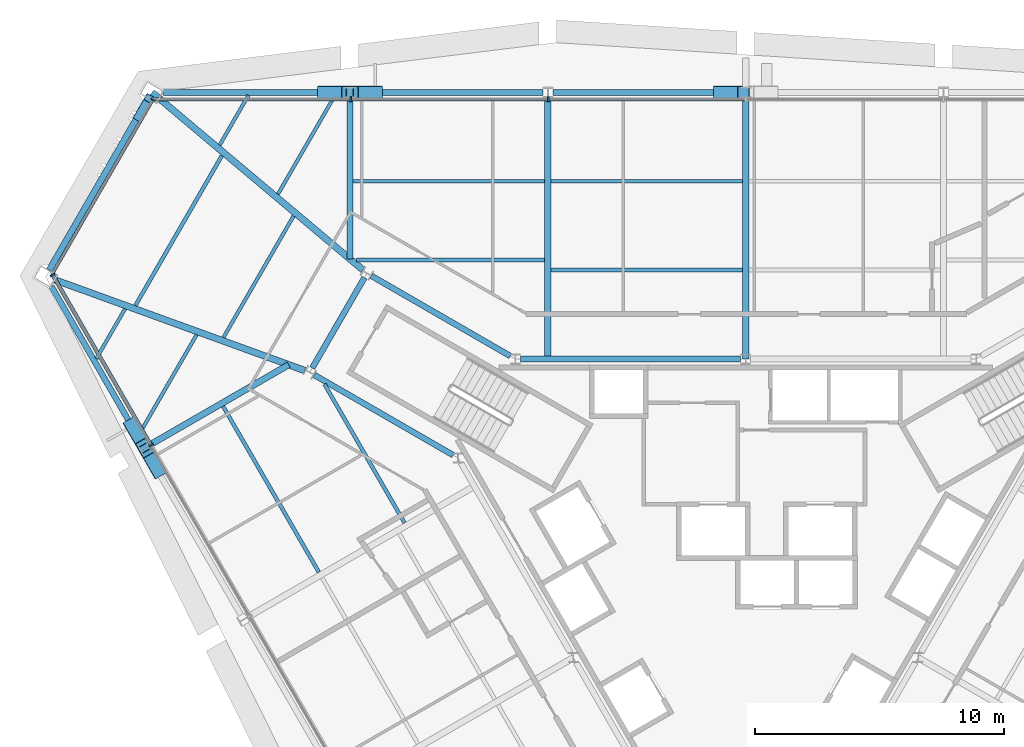
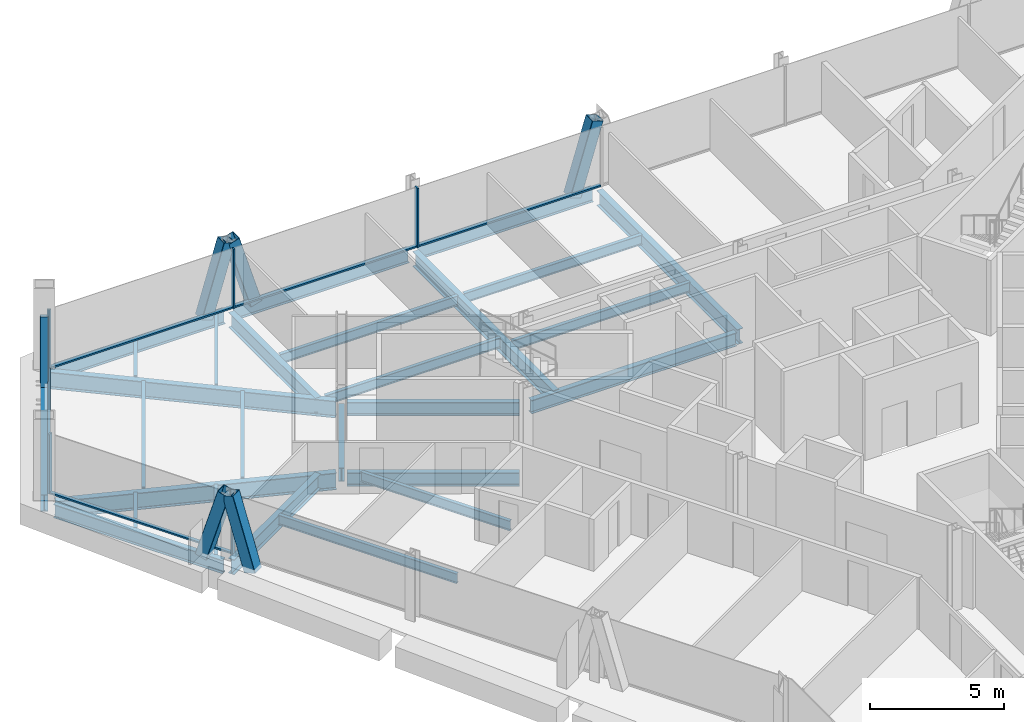
# One storey, part 6 of 14: 27 beams, 16 members, 3 elements without a shape of their own.
"""IFC4 building model written with IfcOpenShell, lengths in metres."""

from ifc_helpers import new_model, si_unit, direction, frame, origin, origin_2d, place, context, subcontext, project, spatial, rectangle, hollow_rectangle, i_section, extrude, material, material_profile, profile_set, type_object, element, aggregate, save


model = new_model("IFC4")

# Units and contexts
model_context = context("Model", 3, precision=1e-05, world=origin(), true_north=direction((0.0, 1.0)))
body_context = subcontext(model_context, "Body", "Model", "MODEL_VIEW")
ifc_project = project(units=[si_unit("LENGTHUNIT", "METRE"), si_unit("AREAUNIT", "SQUARE_METRE"), si_unit("VOLUMEUNIT", "CUBIC_METRE"), si_unit("PLANEANGLEUNIT", "RADIAN"), si_unit("MASSUNIT", "GRAM", prefix="KILO")], contexts=[model_context])

# Site, building, storey
site_placement = place(None, origin())
site = spatial("IfcSite", under=ifc_project, at=site_placement, CompositionType="ELEMENT")
building_placement = place(site_placement, origin())
building = spatial("IfcBuilding", under=site, at=building_placement, Name="Verrane Prism Tower", CompositionType="ELEMENT")
storey_placement = place(building_placement, frame((0.0, 0.0, 196.89990234375)))
storey = spatial("IfcBuildingStorey", under=building, at=storey_placement, Name="L49", CompositionType="ELEMENT", Elevation=196.89990234375)

# Member
ifc_material_1 = material(Name="Steel A500 Grade C", Category="steel")
ifc_material_profile_1 = material_profile(ifc_material_1, hollow_rectangle(XDim=0.3046875, YDim=0.3046875, WallThickness=0.0126953125, InnerFilletRadius=0.00634765625, OuterFilletRadius=0.01904296875, at=origin_2d()), Name="HSS12x12x1/2")
ifc_profile_set_1 = profile_set([ifc_material_profile_1], Name="Steel A500 Grade C")
member_type_1 = type_object("IfcMemberType", Name="Chamfer brace HSS12x12x1/2", PredefinedType="BRACE", material=ifc_profile_set_1)
member_1_placement = place(storey_placement, frame((-24.422607421875, 17.73486328125, -0.242431640625), z_axis=(0.152332325262, 0.263973138981, 0.952424823583), x_axis=(-0.866128586522, 0.499821239653, 0.0)))
element("IfcMember", 1, at=member_1_placement, inside=storey, type_object=member_type_1, Name="Chamfer brace NW0 L49", PredefinedType="BRACE", context=body_context, shape_type="SweptSolid", body=[
    extrude(hollow_rectangle(XDim=0.3046875, YDim=0.3046875, WallThickness=0.0126953125, InnerFilletRadius=0.00634765625, OuterFilletRadius=0.01904296875, at=origin_2d()), origin(), (0.0, 0.0, 1.0), 2.807861328125),
])

# Beams
ifc_material_2 = material(Name="Steel A992", Category="steel")
ifc_material_profile_2 = material_profile(ifc_material_2, i_section(OverallWidth=0.2666015625, OverallDepth=0.7568359375, WebThickness=0.013916015625, FlangeThickness=0.019287109375, FilletRadius=0.0166015625, at=origin_2d()), Name="W30x108")
ifc_profile_set_2 = profile_set([ifc_material_profile_2], Name="Steel A992")
beam_type_1 = type_object("IfcBeamType", Name="Chamfer spandrel beam W30x108", PredefinedType="SPANDREL", material=ifc_profile_set_2)
beam_1_placement = place(storey_placement, frame((-24.010009765625, 18.4501953125, -0.538330078125), z_axis=(-0.499772118917, -0.86615693102, 0.0), x_axis=(0.86615693102, -0.499772118917, 0.0)))
element("IfcBeam", 2, at=beam_1_placement, inside=storey, type_object=beam_type_1, Name="Chamfer spandrel beam L49", PredefinedType="SPANDREL", context=body_context, shape_type="SweptSolid", body=[
    extrude(i_section(OverallWidth=0.2666015625, OverallDepth=0.7568359375, WebThickness=0.013916015625, FlangeThickness=0.019287109375, FilletRadius=0.0166015625, at=origin_2d()), origin(), (0.0, 0.0, 1.0), 7.943603515625),
])
ifc_material_3 = material(Name="Steel A992", Category="steel")
ifc_material_profile_3 = material_profile(ifc_material_3, i_section(OverallWidth=0.23046875, OverallDepth=0.6171875, WebThickness=0.01318359375, FlangeThickness=0.022216796875, FilletRadius=0.012939453125, at=origin_2d()), Name="W24x94")
ifc_profile_set_3 = profile_set([ifc_material_profile_3], Name="Steel A992")
beam_type_2 = type_object("IfcBeamType", Name="Core ring girder W24x94", PredefinedType="BEAM", material=ifc_profile_set_3)
beam_2_placement = place(storey_placement, frame((-0.20068359375, 8.0, -0.55859375), z_axis=(-1.0, 0.0, 0.0), x_axis=(0.0, -1.0, 0.0)))
element("IfcBeam", 3, at=beam_2_placement, inside=storey, type_object=beam_type_2, Name="Core ring girder L49", PredefinedType="BEAM", context=body_context, shape_type="SweptSolid", body=[
    extrude(i_section(OverallWidth=0.23046875, OverallDepth=0.6171875, WebThickness=0.01318359375, FlangeThickness=0.022216796875, FilletRadius=0.012939453125, at=origin_2d()), origin(), (0.0, 0.0, 1.0), 8.858642578125),
])
beam_3_placement = place(storey_placement, frame((-9.460693359375, 8.11572265625, -0.55859375), z_axis=(-0.866075143088, 0.499913839102, 0.0), x_axis=(-0.499913839102, -0.866075143088, 0.0)))
element("IfcBeam", 4, at=beam_3_placement, inside=storey, type_object=beam_type_2, Name="Core ring girder L49", PredefinedType="BEAM", context=body_context, shape_type="SweptSolid", body=[
    extrude(i_section(OverallWidth=0.23046875, OverallDepth=0.6171875, WebThickness=0.01318359375, FlangeThickness=0.022216796875, FilletRadius=0.012939453125, at=origin_2d()), origin(), (0.0, 0.0, 1.0), 6.441650390625),
])
beam_4_placement = place(storey_placement, frame((-15.32177734375, 11.26416015625, -0.55859375), z_axis=(-0.500305747711, -0.865848808284, 0.0), x_axis=(0.865848808284, -0.500305747711, 0.0)))
element("IfcBeam", 5, at=beam_4_placement, inside=storey, type_object=beam_type_2, Name="Core ring girder L49", PredefinedType="BEAM", context=body_context, shape_type="SweptSolid", body=[
    extrude(i_section(OverallWidth=0.23046875, OverallDepth=0.6171875, WebThickness=0.01318359375, FlangeThickness=0.022216796875, FilletRadius=0.012939453125, at=origin_2d()), origin(), (0.0, 0.0, 1.0), 4.1904296875),
])
beam_5_placement = place(storey_placement, frame((-17.339599609375, 7.35595703125, -0.55859375), z_axis=(0.866075143088, -0.499913839102, 0.0), x_axis=(0.499913839102, 0.866075143088, 0.0)))
element("IfcBeam", 6, at=beam_5_placement, inside=storey, type_object=beam_type_2, Name="Core ring girder L49", PredefinedType="BEAM", context=body_context, shape_type="SweptSolid", body=[
    extrude(i_section(OverallWidth=0.23046875, OverallDepth=0.6171875, WebThickness=0.01318359375, FlangeThickness=0.022216796875, FilletRadius=0.012939453125, at=origin_2d()), origin(), (0.0, 0.0, 1.0), 6.441650390625),
])
ifc_material_4 = material(Name="Steel A992", Category="steel")
ifc_material_profile_4 = material_profile(ifc_material_4, i_section(OverallWidth=0.2666015625, OverallDepth=0.76708984375, WebThickness=0.014892578125, FlangeThickness=0.023681640625, FilletRadius=0.0166015625, at=origin_2d()), Name="W30x124")
ifc_profile_set_4 = profile_set([ifc_material_profile_4], Name="Steel A992")
beam_type_3 = type_object("IfcBeamType", Name="Corner girder W30x124", PredefinedType="BEAM", material=ifc_profile_set_4)
beam_6_placement = place(storey_placement, frame((-23.85791015625, 18.7080078125, -0.603515625), z_axis=(0.765174039001, -0.643823492923, 0.0), x_axis=(0.643823492923, 0.765174039001, 0.0)))
element("IfcBeam", 7, at=beam_6_placement, inside=storey, type_object=beam_type_3, Name="Corner girder L49", PredefinedType="BEAM", context=body_context, shape_type="SweptSolid", body=[
    extrude(i_section(OverallWidth=0.2666015625, OverallDepth=0.76708984375, WebThickness=0.014892578125, FlangeThickness=0.023681640625, FilletRadius=0.0166015625, at=origin_2d()), origin(), (0.0, 0.0, 1.0), 11.077392578125),
])
beam_7_placement = place(storey_placement, frame((-27.747314453125, 11.171142578125, -0.603515625), z_axis=(0.940029060961, -0.341094363114, 0.0), x_axis=(0.341094363114, 0.940029060961, 0.0)))
element("IfcBeam", 8, at=beam_7_placement, inside=storey, type_object=beam_type_3, Name="Corner girder L49", PredefinedType="BEAM", context=body_context, shape_type="SweptSolid", body=[
    extrude(i_section(OverallWidth=0.2666015625, OverallDepth=0.76708984375, WebThickness=0.014892578125, FlangeThickness=0.023681640625, FilletRadius=0.0166015625, at=origin_2d()), origin(), (0.0, 0.0, 1.0), 10.66845703125),
])

# Members
ifc_material_5 = material(Name="Steel A500 Grade C", Category="steel")
ifc_material_profile_5 = material_profile(ifc_material_5, hollow_rectangle(XDim=0.508056640625, YDim=0.508056640625, WallThickness=0.01904296875, InnerFilletRadius=0.009521484375, OuterFilletRadius=0.028564453125, at=origin_2d()), Name="HSS20x20x3/4")
ifc_profile_set_5 = profile_set([ifc_material_profile_5], Name="Steel A500 Grade C")
member_type_2 = type_object("IfcMemberType", Name="Facade brace HSS20x20x3/4", PredefinedType="BRACE", material=ifc_profile_set_5)
member_2_placement = place(storey_placement, frame((-1.059326171875, 18.7099609375, -0.216552734375), z_axis=(0.290270288565, 0.0, 0.956944700375), x_axis=(0.0, 1.0, 0.0)))
element("IfcMember", 9, at=member_2_placement, inside=storey, type_object=member_type_2, Name="Facade brace N3 L49", PredefinedType="BRACE", context=body_context, shape_type="SweptSolid", body=[
    extrude(hollow_rectangle(XDim=0.508056640625, YDim=0.508056640625, WallThickness=0.01904296875, InnerFilletRadius=0.009521484375, OuterFilletRadius=0.028564453125, at=origin_2d()), origin(), (0.0, 0.0, 1.0), 3.32470703125),
])
member_3_placement = place(storey_placement, frame((-14.841064453125, 18.7099609375, -0.216552734375), z_axis=(-0.291345631639, 0.0, 0.956617856265), x_axis=(0.0, -1.0, 0.0)))
element("IfcMember", 10, at=member_3_placement, inside=storey, type_object=member_type_2, Name="Facade brace N4 L49", PredefinedType="BRACE", context=body_context, shape_type="SweptSolid", body=[
    extrude(hollow_rectangle(XDim=0.508056640625, YDim=0.508056640625, WallThickness=0.01904296875, InnerFilletRadius=0.009521484375, OuterFilletRadius=0.028564453125, at=origin_2d()), origin(), (0.0, 0.0, 1.0), 3.325927734375),
])
member_4_placement = place(storey_placement, frame((-16.9609375, 18.7099609375, -0.216552734375), z_axis=(0.289597640006, 0.0, 0.957148476937), x_axis=(0.0, 1.0, 0.0)))
element("IfcMember", 11, at=member_4_placement, inside=storey, type_object=member_type_2, Name="Facade brace N5 L49", PredefinedType="BRACE", context=body_context, shape_type="SweptSolid", body=[
    extrude(hollow_rectangle(XDim=0.508056640625, YDim=0.508056640625, WallThickness=0.01904296875, InnerFilletRadius=0.009521484375, OuterFilletRadius=0.028564453125, at=origin_2d()), origin(), (0.0, 0.0, 1.0), 3.323974609375),
])
member_5_placement = place(storey_placement, frame((-24.68896484375, 5.337890625, -0.216552734375), z_axis=(0.146159393367, -0.25179644362, 0.956679665672), x_axis=(0.864856046638, 0.502019938442, 0.0)))
element("IfcMember", 12, at=member_5_placement, inside=storey, type_object=member_type_2, Name="Facade brace SW0 L49", PredefinedType="BRACE", context=body_context, shape_type="SweptSolid", body=[
    extrude(hollow_rectangle(XDim=0.508056640625, YDim=0.508056640625, WallThickness=0.01904296875, InnerFilletRadius=0.009521484375, OuterFilletRadius=0.028564453125, at=origin_2d()), origin(), (0.0, 0.0, 1.0), 3.32568359375),
])
member_6_placement = place(storey_placement, frame((-23.629638671875, 3.501708984375, -0.216552734375), z_axis=(-0.14416822817, 0.251321282117, 0.957106647736), x_axis=(-0.867415195595, -0.49758504645, 0.0)))
element("IfcMember", 13, at=member_6_placement, inside=storey, type_object=member_type_2, Name="Facade brace SW1 L49", PredefinedType="BRACE", context=body_context, shape_type="SweptSolid", body=[
    extrude(hollow_rectangle(XDim=0.508056640625, YDim=0.508056640625, WallThickness=0.01904296875, InnerFilletRadius=0.009521484375, OuterFilletRadius=0.028564453125, at=origin_2d()), origin(), (0.0, 0.0, 1.0), 3.32421875),
])

# Beams
ifc_material_6 = material(Name="Steel A992", Category="steel")
ifc_material_profile_6 = material_profile(ifc_material_6, i_section(OverallWidth=0.140380859375, OverallDepth=0.40380859375, WebThickness=0.007080078125, FlangeThickness=0.01123046875, FilletRadius=0.01025390625, at=origin_2d()), Name="W16x31")
ifc_profile_set_6 = profile_set([ifc_material_profile_6], Name="Steel A992")
beam_type_4 = type_object("IfcBeamType", Name="Floor beam W16x31", PredefinedType="BEAM", material=ifc_profile_set_6)
beam_8_placement = place(storey_placement, frame((-18.79638671875, 14.622314453125, -0.36181640625), z_axis=(0.500014226777, 0.866017189795, 0.0), x_axis=(-0.866017189795, 0.500014226777, 0.0)))
element("IfcBeam", 14, at=beam_8_placement, inside=storey, type_object=beam_type_4, Name="Floor beam L49", PredefinedType="BEAM", context=body_context, shape_type="SweptSolid", body=[
    extrude(i_section(OverallWidth=0.140380859375, OverallDepth=0.40380859375, WebThickness=0.007080078125, FlangeThickness=0.01123046875, FilletRadius=0.01025390625, at=origin_2d()), origin(), (0.0, 0.0, 1.0), 4.587158203125),
])
beam_9_placement = place(storey_placement, frame((-21.138916015625, 16.593994140625, -0.36181640625), z_axis=(0.50000294753, 0.86602370202, 0.0), x_axis=(-0.86602370202, 0.50000294753, 0.0)))
element("IfcBeam", 15, at=beam_9_placement, inside=storey, type_object=beam_type_4, Name="Floor beam L49", PredefinedType="BEAM", context=body_context, shape_type="SweptSolid", body=[
    extrude(i_section(OverallWidth=0.140380859375, OverallDepth=0.40380859375, WebThickness=0.007080078125, FlangeThickness=0.01123046875, FilletRadius=0.01025390625, at=origin_2d()), origin(), (0.0, 0.0, 1.0), 2.310546875),
])
beam_10_placement = place(storey_placement, frame((-24.3603515625, 4.997802734375, -0.36181640625), z_axis=(0.500008050843, 0.866020755578, 0.0), x_axis=(-0.866020755578, 0.500008050843, 0.0)))
element("IfcBeam", 16, at=beam_10_placement, inside=storey, type_object=beam_type_4, Name="Floor beam L49", PredefinedType="BEAM", context=body_context, shape_type="SweptSolid", body=[
    extrude(i_section(OverallWidth=0.140380859375, OverallDepth=0.40380859375, WebThickness=0.007080078125, FlangeThickness=0.01123046875, FilletRadius=0.01025390625, at=origin_2d()), origin(), (0.0, 0.0, 1.0), 4.587890625),
])
beam_11_placement = place(storey_placement, frame((-26.0966796875, 8.01123046875, -0.36181640625), z_axis=(0.49999068997, 0.866030778866, 0.0), x_axis=(-0.866030778866, 0.49999068997, 0.0)))
element("IfcBeam", 17, at=beam_11_placement, inside=storey, type_object=beam_type_4, Name="Floor beam L49", PredefinedType="BEAM", context=body_context, shape_type="SweptSolid", body=[
    extrude(i_section(OverallWidth=0.140380859375, OverallDepth=0.40380859375, WebThickness=0.007080078125, FlangeThickness=0.01123046875, FilletRadius=0.01025390625, at=origin_2d()), origin(), (0.0, 0.0, 1.0), 2.31103515625),
])
beam_12_placement = place(storey_placement, frame((-20.986572265625, 8.86376953125, -0.36181640625), z_axis=(0.500001171754, 0.866024727271, 0.0), x_axis=(-0.866024727271, 0.500001171754, 0.0)))
element("IfcBeam", 18, at=beam_12_placement, inside=storey, type_object=beam_type_4, Name="Floor beam L49", PredefinedType="BEAM", context=body_context, shape_type="SweptSolid", body=[
    extrude(i_section(OverallWidth=0.140380859375, OverallDepth=0.40380859375, WebThickness=0.007080078125, FlangeThickness=0.01123046875, FilletRadius=0.01025390625, at=origin_2d()), origin(), (0.0, 0.0, 1.0), 5.63623046875),
])
ifc_material_7 = material(Name="Steel A992", Category="steel")
ifc_material_profile_7 = material_profile(ifc_material_7, i_section(OverallWidth=0.15234375, OverallDepth=0.449462890625, WebThickness=0.007568359375, FlangeThickness=0.0107421875, FilletRadius=0.01025390625, at=origin_2d()), Name="W18x35")
ifc_profile_set_7 = profile_set([ifc_material_profile_7], Name="Steel A992")
beam_type_5 = type_object("IfcBeamType", Name="Floor beam W18x35", PredefinedType="BEAM", material=ifc_profile_set_7)
for number, where, z_axis, x_axis, name in (
    (19, (-7.822998046875, 11.570068359375, -0.384765625), (1.0, 0.0, 0.0), (0.0, 1.0, 0.0), "Floor beam L49"),
    (20, (-7.822998046875, 15.139892578125, -0.384765625), (1.0, 0.0, 0.0), (0.0, 1.0, 0.0), "Floor beam L49"),
):
    element("IfcBeam", number, at=place(storey_placement, frame(where, z_axis=z_axis, x_axis=x_axis)), inside=storey, type_object=beam_type_5, Name=name, PredefinedType="BEAM", context=body_context, shape_type="SweptSolid", body=[
        extrude(i_section(OverallWidth=0.15234375, OverallDepth=0.449462890625, WebThickness=0.007568359375, FlangeThickness=0.0107421875, FilletRadius=0.01025390625, at=origin_2d()), origin(), (0.0, 0.0, 1.0), 7.696044921875),
    ])
beam_13_placement = place(storey_placement, frame((-15.64501953125, 11.969970703125, -0.384765625), z_axis=(1.0, 0.0, 0.0), x_axis=(0.0, 1.0, 0.0)))
element("IfcBeam", 21, at=beam_13_placement, inside=storey, type_object=beam_type_5, Name="Floor beam L49", PredefinedType="BEAM", context=body_context, shape_type="SweptSolid", body=[
    extrude(i_section(OverallWidth=0.15234375, OverallDepth=0.449462890625, WebThickness=0.007568359375, FlangeThickness=0.0107421875, FilletRadius=0.01025390625, at=origin_2d()), origin(), (0.0, 0.0, 1.0), 7.568115234375),
])
beam_14_placement = place(storey_placement, frame((-15.77294921875, 15.139892578125, -0.384765625), z_axis=(1.0, 0.0, 0.0), x_axis=(0.0, 1.0, 0.0)))
element("IfcBeam", 22, at=beam_14_placement, inside=storey, type_object=beam_type_5, Name="Floor beam L49", PredefinedType="BEAM", context=body_context, shape_type="SweptSolid", body=[
    extrude(i_section(OverallWidth=0.15234375, OverallDepth=0.449462890625, WebThickness=0.007568359375, FlangeThickness=0.0107421875, FilletRadius=0.01025390625, at=origin_2d()), origin(), (0.0, 0.0, 1.0), 7.696044921875),
])
beam_15_placement = place(storey_placement, frame((-13.7109375, 1.4130859375, -0.384765625), z_axis=(-0.499999433879, 0.866025730634, 0.0), x_axis=(-0.866025730634, -0.499999433879, 0.0)))
element("IfcBeam", 23, at=beam_15_placement, inside=storey, type_object=beam_type_5, Name="Floor beam L49", PredefinedType="BEAM", context=body_context, shape_type="SweptSolid", body=[
    extrude(i_section(OverallWidth=0.15234375, OverallDepth=0.449462890625, WebThickness=0.007568359375, FlangeThickness=0.0107421875, FilletRadius=0.01025390625, at=origin_2d()), origin(), (0.0, 0.0, 1.0), 6.4345703125),
])
beam_16_placement = place(storey_placement, frame((-17.151123046875, -0.573974609375, -0.384765625), z_axis=(-0.50001143954, 0.866018799062, 0.0), x_axis=(-0.866018799062, -0.50001143954, 0.0)))
element("IfcBeam", 24, at=beam_16_placement, inside=storey, type_object=beam_type_5, Name="Floor beam L49", PredefinedType="BEAM", context=body_context, shape_type="SweptSolid", body=[
    extrude(i_section(OverallWidth=0.15234375, OverallDepth=0.449462890625, WebThickness=0.007568359375, FlangeThickness=0.0107421875, FilletRadius=0.01025390625, at=origin_2d()), origin(), (0.0, 0.0, 1.0), 7.702880859375),
])
beam_17_placement = place(storey_placement, frame((-24.525390625, 10.14599609375, -0.384765625), z_axis=(0.500009115389, 0.866020140948, 0.0), x_axis=(-0.866020140948, 0.500009115389, 0.0)))
element("IfcBeam", 25, at=beam_17_placement, inside=storey, type_object=beam_type_5, Name="Floor beam L49", PredefinedType="BEAM", context=body_context, shape_type="SweptSolid", body=[
    extrude(i_section(OverallWidth=0.15234375, OverallDepth=0.449462890625, WebThickness=0.007568359375, FlangeThickness=0.0107421875, FilletRadius=0.01025390625, at=origin_2d()), origin(), (0.0, 0.0, 1.0), 6.954345703125),
])

# Curtain wall, member
ifc_material_8 = material(Name="Aluminium framed insulated glazing", Category="aluminium")
curtain_wall_type_1 = type_object("IfcCurtainWallType", Name="Curtain wall CW-B 5600 module", PredefinedType="NOTDEFINED", material=ifc_material_8)
curtain_wall_1_placement = place(storey_placement, origin())
curtain_wall_1 = element("IfcCurtainWall", 26, at=curtain_wall_1_placement, inside=storey, type_object=curtain_wall_type_1, Name="Glazed curtain wall north-west corner L49", PredefinedType="NOTDEFINED")
ifc_material_9 = material(Name="Aluminium alloy 6063-T6", Category="aluminium")
ifc_material_profile_8 = material_profile(ifc_material_9, rectangle(XDim=0.159912109375, YDim=0.06005859375, at=origin_2d()), Name="Mullion 60x160 aluminium")
ifc_profile_set_8 = profile_set([ifc_material_profile_8], Name="Aluminium alloy 6063-T6")
member_type_3 = type_object("IfcMemberType", Name="Mullion 60x160 aluminium", PredefinedType="MULLION", material=ifc_profile_set_8)
member_7_placement = place(storey_placement, frame((-23.827880859375, 18.405029296875, 0.0), z_axis=(0.0, 0.0, 1.0), x_axis=(0.866022763997, -0.500004572218, 0.0)))
member_7 = element("IfcMember", 27, at=member_7_placement, type_object=member_type_3, Name="CW47.3 mullion 1", PredefinedType="MULLION", context=body_context, shape_type="SweptSolid", body=[
    extrude(rectangle(XDim=0.159912109375, YDim=0.06005859375, at=origin_2d()), origin(), (0.0, 0.0, 1.0), 2.712890625),
])

# Curtain wall, members
ifc_material_10 = material(Name="Aluminium framed insulated glazing", Category="aluminium")
curtain_wall_type_2 = type_object("IfcCurtainWallType", Name="Curtain wall CW-A 8400 module", PredefinedType="NOTDEFINED", material=ifc_material_10)
curtain_wall_2_placement = place(storey_placement, origin())
curtain_wall_2 = element("IfcCurtainWall", 28, at=curtain_wall_2_placement, inside=storey, type_object=curtain_wall_type_2, Name="Glazed curtain wall north face L49", PredefinedType="NOTDEFINED")
ifc_material_11 = material(Name="Aluminium alloy 6063-T6", Category="aluminium")
ifc_material_profile_9 = material_profile(ifc_material_11, rectangle(XDim=0.199951171875, YDim=0.070068359375, at=origin_2d()), Name="Mullion 70x200 aluminium")
ifc_profile_set_9 = profile_set([ifc_material_profile_9], Name="Aluminium alloy 6063-T6")
member_type_4 = type_object("IfcMemberType", Name="Mullion 70x200 aluminium", PredefinedType="MULLION", material=ifc_profile_set_9)
member_8_placement = place(storey_placement, frame((-7.937744140625, 18.430908203125, 0.0), z_axis=(0.0, 0.0, 1.0), x_axis=(0.0, -1.0, 0.0)))
member_8 = element("IfcMember", 29, at=member_8_placement, type_object=member_type_4, Name="CW47.2 mullion 5", PredefinedType="MULLION", context=body_context, shape_type="SweptSolid", body=[
    extrude(rectangle(XDim=0.199951171875, YDim=0.070068359375, at=origin_2d()), origin(), (0.0, 0.0, 1.0), 2.712890625),
])
member_9_placement = place(storey_placement, frame((-15.875244140625, 18.430908203125, 0.0), z_axis=(0.0, 0.0, 1.0), x_axis=(0.0, -1.0, 0.0)))
member_9 = element("IfcMember", 30, at=member_9_placement, type_object=member_type_4, Name="CW47.2 mullion 6", PredefinedType="MULLION", context=body_context, shape_type="SweptSolid", body=[
    extrude(rectangle(XDim=0.199951171875, YDim=0.070068359375, at=origin_2d()), origin(), (0.0, 0.0, 1.0), 2.712890625),
])

curtain_wall_3_placement = place(storey_placement, origin())
curtain_wall_3 = element("IfcCurtainWall", 31, at=curtain_wall_3_placement, inside=storey, type_object=curtain_wall_type_2, Name="Glazed curtain wall south-west face L49", PredefinedType="NOTDEFINED")
member_10_placement = place(storey_placement, frame((-27.8505859375, 11.376708984375, 0.0), z_axis=(0.0, 0.0, 1.0), x_axis=(0.866025652206, 0.499999569721, 0.0)))
member_10 = element("IfcMember", 32, at=member_10_placement, type_object=member_type_4, Name="CW47.4 mullion 1", PredefinedType="MULLION", context=body_context, shape_type="SweptSolid", body=[
    extrude(rectangle(XDim=0.199951171875, YDim=0.070068359375, at=origin_2d()), origin(), (0.0, 0.0, 1.0), 2.712890625),
])
member_11_placement = place(storey_placement, frame((-23.8994140625, 4.532958984375, 0.0), z_axis=(0.0, 0.0, 1.0), x_axis=(0.866025652206, 0.499999569721, 0.0)))
member_11 = element("IfcMember", 33, at=member_11_placement, type_object=member_type_4, Name="CW47.4 mullion 2", PredefinedType="MULLION", context=body_context, shape_type="SweptSolid", body=[
    extrude(rectangle(XDim=0.199951171875, YDim=0.070068359375, at=origin_2d()), origin(), (0.0, 0.0, 1.0), 2.712890625),
])

# Beams
ifc_material_12 = material(Name="Steel A992", Category="steel")
ifc_material_profile_10 = material_profile(ifc_material_12, i_section(OverallWidth=0.25390625, OverallDepth=0.683349609375, WebThickness=0.012451171875, FlangeThickness=0.01904296875, FilletRadius=0.01513671875, at=origin_2d()), Name="W27x94")
ifc_profile_set_10 = profile_set([ifc_material_profile_10], Name="Steel A992")
beam_type_6 = type_object("IfcBeamType", Name="Radial girder W27x94", PredefinedType="BEAM", material=ifc_profile_set_10)
for number, where, z_axis, x_axis, name in (
    (34, (0.0, 18.501708984375, -0.5615234375), (0.0, -1.0, 0.0), (1.0, 0.0, 0.0), "Radial girder L49"),
    (35, (-7.949951171875, 18.501708984375, -0.5615234375), (0.0, -1.0, 0.0), (1.0, 0.0, 0.0), "Radial girder L49"),
):
    element("IfcBeam", number, at=place(storey_placement, frame(where, z_axis=z_axis, x_axis=x_axis)), inside=storey, type_object=beam_type_6, Name=name, PredefinedType="BEAM", context=body_context, shape_type="SweptSolid", body=[
        extrude(i_section(OverallWidth=0.25390625, OverallDepth=0.683349609375, WebThickness=0.012451171875, FlangeThickness=0.01904296875, FilletRadius=0.01513671875, at=origin_2d()), origin(), (0.0, 0.0, 1.0), 10.501708984375),
    ])
beam_18_placement = place(storey_placement, frame((-15.89990234375, 18.501708984375, -0.5615234375), z_axis=(0.0, -1.0, 0.0), x_axis=(1.0, 0.0, 0.0)))
element("IfcBeam", 36, at=beam_18_placement, inside=storey, type_object=beam_type_6, Name="Radial girder L49", PredefinedType="BEAM", context=body_context, shape_type="SweptSolid", body=[
    extrude(i_section(OverallWidth=0.25390625, OverallDepth=0.683349609375, WebThickness=0.012451171875, FlangeThickness=0.01904296875, FilletRadius=0.01513671875, at=origin_2d()), origin(), (0.0, 0.0, 1.0), 6.489501953125),
])
beam_19_placement = place(storey_placement, frame((-23.9794921875, 4.524169921875, -0.5615234375), z_axis=(0.866019429159, 0.500010348212, 0.0), x_axis=(-0.500010348212, 0.866019429159, 0.0)))
element("IfcBeam", 37, at=beam_19_placement, inside=storey, type_object=beam_type_6, Name="Radial girder L49", PredefinedType="BEAM", context=body_context, shape_type="SweptSolid", body=[
    extrude(i_section(OverallWidth=0.25390625, OverallDepth=0.683349609375, WebThickness=0.012451171875, FlangeThickness=0.01904296875, FilletRadius=0.01513671875, at=origin_2d()), origin(), (0.0, 0.0, 1.0), 6.484130859375),
])
ifc_material_13 = material(Name="Steel A992", Category="steel")
ifc_material_profile_11 = material_profile(ifc_material_13, i_section(OverallWidth=0.23046875, OverallDepth=0.6171875, WebThickness=0.01318359375, FlangeThickness=0.022216796875, FilletRadius=0.012939453125, at=origin_2d()), Name="W24x94")
ifc_profile_set_11 = profile_set([ifc_material_profile_11], Name="Steel A992")
beam_type_7 = type_object("IfcBeamType", Name="Spandrel beam W24x94", PredefinedType="SPANDREL", material=ifc_profile_set_11)
beam_20_placement = place(storey_placement, frame((-0.203125, 18.7099609375, -0.468505859375), z_axis=(-1.0, 0.0, 0.0), x_axis=(0.0, -1.0, 0.0)))
element("IfcBeam", 38, at=beam_20_placement, inside=storey, type_object=beam_type_7, Name="Spandrel beam L49", PredefinedType="SPANDREL", context=body_context, shape_type="SweptSolid", body=[
    extrude(i_section(OverallWidth=0.23046875, OverallDepth=0.6171875, WebThickness=0.01318359375, FlangeThickness=0.022216796875, FilletRadius=0.012939453125, at=origin_2d()), origin(), (0.0, 0.0, 1.0), 7.543701171875),
])
beam_21_placement = place(storey_placement, frame((-8.1533203125, 18.7099609375, -0.468505859375), z_axis=(-1.0, 0.0, 0.0), x_axis=(0.0, -1.0, 0.0)))
element("IfcBeam", 39, at=beam_21_placement, inside=storey, type_object=beam_type_7, Name="Spandrel beam L49", PredefinedType="SPANDREL", context=body_context, shape_type="SweptSolid", body=[
    extrude(i_section(OverallWidth=0.23046875, OverallDepth=0.6171875, WebThickness=0.01318359375, FlangeThickness=0.022216796875, FilletRadius=0.012939453125, at=origin_2d()), origin(), (0.0, 0.0, 1.0), 7.54345703125),
])
beam_22_placement = place(storey_placement, frame((-16.103271484375, 18.7099609375, -0.468505859375), z_axis=(-1.0, 0.0, 0.0), x_axis=(0.0, -1.0, 0.0)))
element("IfcBeam", 40, at=beam_22_placement, inside=storey, type_object=beam_type_7, Name="Spandrel beam L49", PredefinedType="SPANDREL", context=body_context, shape_type="SweptSolid", body=[
    extrude(i_section(OverallWidth=0.23046875, OverallDepth=0.6171875, WebThickness=0.01318359375, FlangeThickness=0.022216796875, FilletRadius=0.012939453125, at=origin_2d()), origin(), (0.0, 0.0, 1.0), 7.294921875),
])
beam_23_placement = place(storey_placement, frame((-27.8994140625, 10.90966796875, -0.468505859375), z_axis=(0.49926409203, -0.86644986376, 0.0), x_axis=(0.86644986376, 0.49926409203, 0.0)))
element("IfcBeam", 41, at=beam_23_placement, inside=storey, type_object=beam_type_7, Name="Spandrel beam L49", PredefinedType="SPANDREL", context=body_context, shape_type="SweptSolid", body=[
    extrude(i_section(OverallWidth=0.23046875, OverallDepth=0.6171875, WebThickness=0.01318359375, FlangeThickness=0.022216796875, FilletRadius=0.012939453125, at=origin_2d()), origin(), (0.0, 0.0, 1.0), 7.28662109375),
])

# Member
ifc_material_14 = material(Name="Aluminium alloy 6063-T6", Category="aluminium")
ifc_material_profile_12 = material_profile(ifc_material_14, rectangle(XDim=0.1201171875, YDim=0.06005859375, at=origin_2d()), Name="Transom 60x120 aluminium")
ifc_profile_set_12 = profile_set([ifc_material_profile_12], Name="Aluminium alloy 6063-T6")
member_type_5 = type_object("IfcMemberType", Name="Transom 60x120 aluminium", PredefinedType="USERDEFINED", material=ifc_profile_set_12)
member_12_placement = place(storey_placement, frame((-23.843017578125, 18.379150390625, 0.030029296875), z_axis=(-0.499977961001, -0.866038127632, 0.0), x_axis=(0.866038127632, -0.499977961001, 0.0)))
member_12 = element("IfcMember", 42, at=member_12_placement, type_object=member_type_5, Name="CW47.3 transom 1", ObjectType="TRANSOM", PredefinedType="USERDEFINED", context=body_context, shape_type="SweptSolid", body=[
    extrude(rectangle(XDim=0.1201171875, YDim=0.06005859375, at=origin_2d()), origin(), (0.0, 0.0, 1.0), 8.050537109375),
])

aggregate(curtain_wall_1, [member_7, member_12])

ifc_material_15 = material(Name="Aluminium alloy 6063-T6", Category="aluminium")
ifc_material_profile_13 = material_profile(ifc_material_15, rectangle(XDim=0.14990234375, YDim=0.070068359375, at=origin_2d()), Name="Transom 70x150 aluminium")
ifc_profile_set_13 = profile_set([ifc_material_profile_13], Name="Aluminium alloy 6063-T6")
member_type_6 = type_object("IfcMemberType", Name="Transom 70x150 aluminium", PredefinedType="USERDEFINED", material=ifc_profile_set_13)
member_13_placement = place(storey_placement, frame((-0.034912109375, 18.430908203125, 0.03515625), z_axis=(-1.0, 0.0, 0.0), x_axis=(0.0, -1.0, 0.0)))
member_13 = element("IfcMember", 43, at=member_13_placement, type_object=member_type_6, Name="CW47.2 transom 4", ObjectType="TRANSOM", PredefinedType="USERDEFINED", context=body_context, shape_type="SweptSolid", body=[
    extrude(rectangle(XDim=0.14990234375, YDim=0.070068359375, at=origin_2d()), origin(), (0.0, 0.0, 1.0), 7.86767578125),
])

member_14_placement = place(storey_placement, frame((-7.97265625, 18.430908203125, 0.03515625), z_axis=(-1.0, 0.0, 0.0), x_axis=(0.0, -1.0, 0.0)))
member_14 = element("IfcMember", 44, at=member_14_placement, type_object=member_type_6, Name="CW47.2 transom 5", ObjectType="TRANSOM", PredefinedType="USERDEFINED", context=body_context, shape_type="SweptSolid", body=[
    extrude(rectangle(XDim=0.14990234375, YDim=0.070068359375, at=origin_2d()), origin(), (0.0, 0.0, 1.0), 7.86767578125),
])

member_15_placement = place(storey_placement, frame((-15.91015625, 18.430908203125, 0.03515625), z_axis=(-1.0, 0.0, 0.0), x_axis=(0.0, -1.0, 0.0)))
member_15 = element("IfcMember", 45, at=member_15_placement, type_object=member_type_6, Name="CW47.2 transom 6", ObjectType="TRANSOM", PredefinedType="USERDEFINED", context=body_context, shape_type="SweptSolid", body=[
    extrude(rectangle(XDim=0.14990234375, YDim=0.070068359375, at=origin_2d()), origin(), (0.0, 0.0, 1.0), 7.90283203125),
])

aggregate(curtain_wall_2, [member_8, member_9, member_13, member_14, member_15])

member_16_placement = place(storey_placement, frame((-27.833251953125, 11.346435546875, 0.03515625), z_axis=(0.499997665074, -0.86602675185, 0.0), x_axis=(0.86602675185, 0.499997665074, 0.0)))
member_16 = element("IfcMember", 46, at=member_16_placement, type_object=member_type_6, Name="CW47.4 transom 1", ObjectType="TRANSOM", PredefinedType="USERDEFINED", context=body_context, shape_type="SweptSolid", body=[
    extrude(rectangle(XDim=0.14990234375, YDim=0.070068359375, at=origin_2d()), origin(), (0.0, 0.0, 1.0), 7.83251953125),
])

aggregate(curtain_wall_3, [member_10, member_11, member_16])

save(model, "model.ifc")
